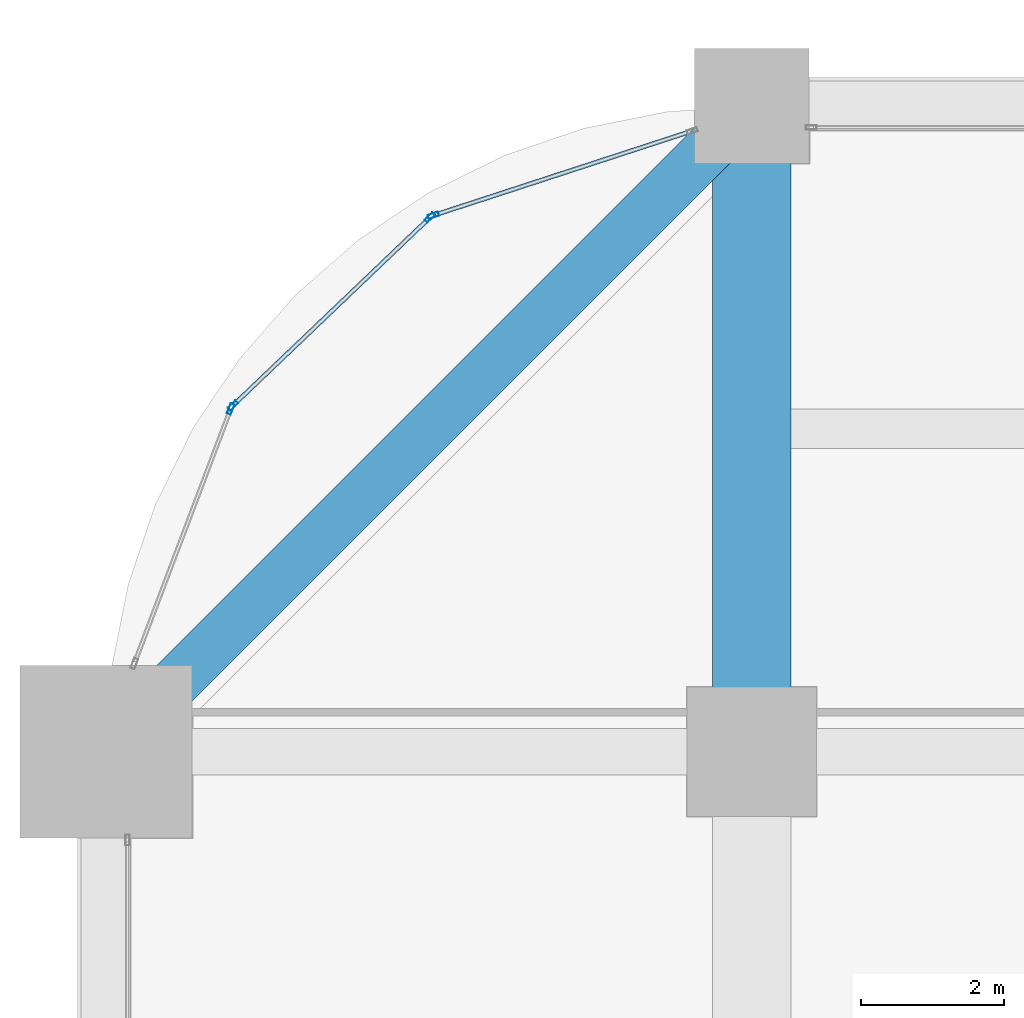
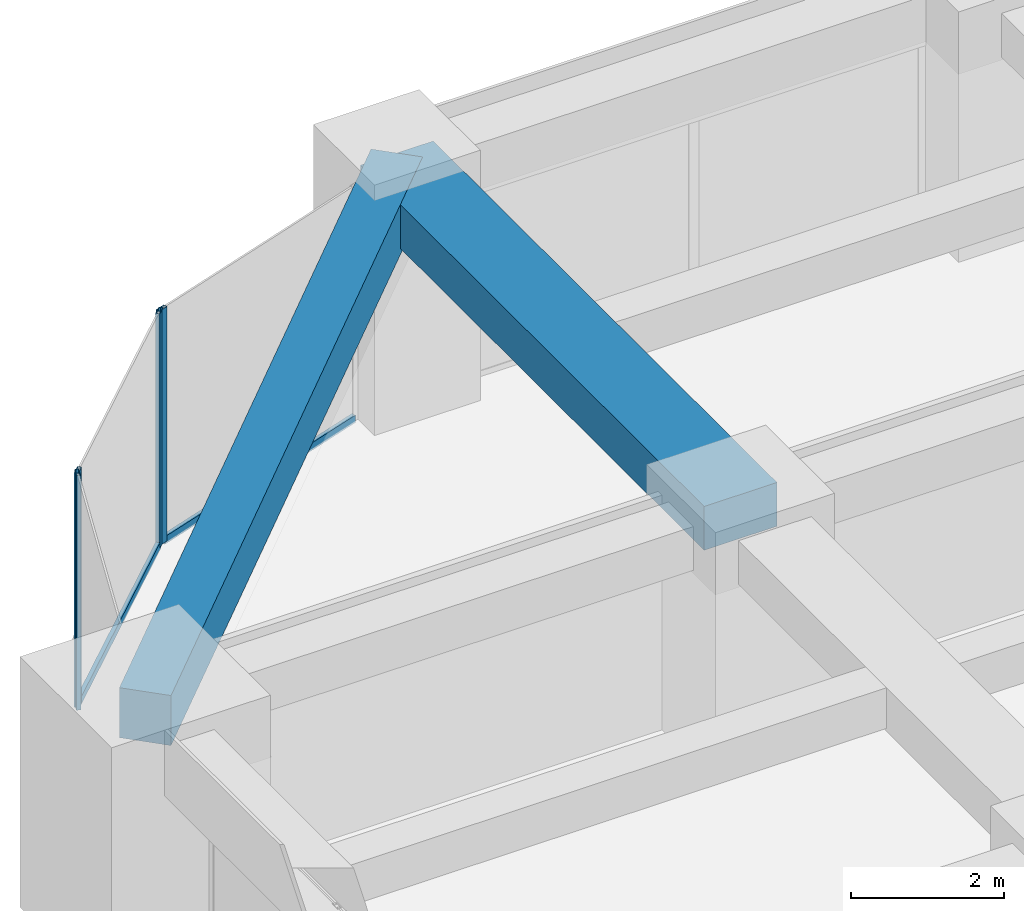
# One storey, part 26 of 40: 6 members, 2 beams, 3 elements without a shape of their own.
"""IFC4 building model written with IfcOpenShell, lengths in metres."""

from ifc_helpers import new_model, si_unit, direction, frame, origin, origin_2d, place, context, subcontext, project, spatial, rectangle, hollow_rectangle, extrude, material, material_profile, profile_set, type_object, element, aggregate, save


model = new_model("IFC4")

# Units and contexts
model_context = context("Model", 3, precision=1e-05, world=origin(), true_north=direction((0.0, 1.0)))
body_context = subcontext(model_context, "Body", "Model", "MODEL_VIEW")
ifc_project = project(units=[si_unit("LENGTHUNIT", "METRE"), si_unit("AREAUNIT", "SQUARE_METRE"), si_unit("VOLUMEUNIT", "CUBIC_METRE"), si_unit("PLANEANGLEUNIT", "RADIAN"), si_unit("MASSUNIT", "GRAM", prefix="KILO")], contexts=[model_context])

# Site, building, storey
site_placement = place(None, origin())
site = spatial("IfcSite", under=ifc_project, at=site_placement, CompositionType="ELEMENT")
building_placement = place(site_placement, origin())
building = spatial("IfcBuilding", under=site, at=building_placement, Name="Zorevar Civic Tower", CompositionType="ELEMENT")
storey_placement = place(building_placement, frame((0.0, 0.0, 129.0)))
storey = spatial("IfcBuildingStorey", under=building, at=storey_placement, Name="L31", CompositionType="ELEMENT", Elevation=129.0)

# Beam
ifc_material_1 = material(Name="Concrete C50/60", Category="concrete")
ifc_material_profile_1 = material_profile(ifc_material_1, rectangle(XDim=1.10009765625, YDim=0.699951171875, at=origin_2d()), Name="RC 1100x700")
ifc_profile_set_1 = profile_set([ifc_material_profile_1], Name="Concrete C50/60")
beam_type_1 = type_object("IfcBeamType", Name="Beam RC 1100x700", PredefinedType="BEAM", material=ifc_profile_set_1)
beam_1_placement = place(storey_placement, frame((9.0, 36.0, 3.39990234375), z_axis=(0.0, 1.0, 0.0), x_axis=(-1.0, 0.0, 0.0)))
element("IfcBeam", 1, at=beam_1_placement, inside=storey, type_object=beam_type_1, Name="Girder L32", PredefinedType="BEAM", context=body_context, shape_type="SweptSolid", body=[
    extrude(rectangle(XDim=1.10009765625, YDim=0.699951171875, at=origin_2d()), origin(), (0.0, 0.0, 1.0), 9.0),
])

# Curtain wall, member
ifc_material_2 = material(Name="Dark grey solar-control glass in black aluminium frame", Category="aluminium")
curtain_wall_type = type_object("IfcCurtainWallType", Name="Curtain wall CW3 mid zone", PredefinedType="NOTDEFINED", material=ifc_material_2)
curtain_wall_1_placement = place(storey_placement, origin())
curtain_wall_1 = element("IfcCurtainWall", 2, at=curtain_wall_1_placement, inside=storey, type_object=curtain_wall_type, Name="CW3 L31", PredefinedType="NOTDEFINED")
ifc_material_3 = material(Name="Aluminium, black anodised", Category="aluminium")
ifc_material_profile_2 = material_profile(ifc_material_3, hollow_rectangle(XDim=0.06005859375, YDim=0.14990234375, WallThickness=0.00390625, at=origin_2d()), Name="AL 150x60x4")
ifc_profile_set_2 = profile_set([ifc_material_profile_2], Name="Aluminium, black anodised")
member_type_1 = type_object("IfcMemberType", Name="CW3 mullion AL 150x60x4", PredefinedType="MULLION", material=ifc_profile_set_2)
member_1_placement = place(storey_placement, frame((4.56396484375, 43.476318359375, 0.0), z_axis=(0.0, 0.0, 1.0), x_axis=(0.310263169163, -0.950650706548, 0.0)))
member_1 = element("IfcMember", 3, at=member_1_placement, type_object=member_type_1, Name="CW3 mullion 2", PredefinedType="MULLION", context=body_context, shape_type="SweptSolid", body=[
    extrude(hollow_rectangle(XDim=0.06005859375, YDim=0.14990234375, WallThickness=0.00390625, at=origin_2d()), origin(), (0.0, 0.0, 1.0), 3.75),
])

# Curtain wall, members
curtain_wall_2_placement = place(storey_placement, origin())
curtain_wall_2 = element("IfcCurtainWall", 4, at=curtain_wall_2_placement, inside=storey, type_object=curtain_wall_type, Name="CW3 L31", PredefinedType="NOTDEFINED")
member_2_placement = place(storey_placement, frame((4.513916015625, 43.4462890625, 0.0), z_axis=(0.0, 0.0, 1.0), x_axis=(0.690545329292, -0.723289117983, 0.0)))
member_2 = element("IfcMember", 5, at=member_2_placement, type_object=member_type_1, Name="CW3 mullion 1", PredefinedType="MULLION", context=body_context, shape_type="SweptSolid", body=[
    extrude(hollow_rectangle(XDim=0.06005859375, YDim=0.14990234375, WallThickness=0.00390625, at=origin_2d()), origin(), (0.0, 0.0, 1.0), 3.75),
])
member_3_placement = place(storey_placement, frame((1.76904296875, 40.825927734375, 0.0), z_axis=(0.0, 0.0, 1.0), x_axis=(0.690545329292, -0.723289117983, 0.0)))
member_3 = element("IfcMember", 6, at=member_3_placement, type_object=member_type_1, Name="CW3 mullion 2", PredefinedType="MULLION", context=body_context, shape_type="SweptSolid", body=[
    extrude(hollow_rectangle(XDim=0.06005859375, YDim=0.14990234375, WallThickness=0.00390625, at=origin_2d()), origin(), (0.0, 0.0, 1.0), 3.75),
])

# Curtain wall, member
curtain_wall_3_placement = place(storey_placement, origin())
curtain_wall_3 = element("IfcCurtainWall", 7, at=curtain_wall_3_placement, inside=storey, type_object=curtain_wall_type, Name="CW3 L31", PredefinedType="NOTDEFINED")
member_4_placement = place(storey_placement, frame((1.73681640625, 40.777099609375, 0.0), z_axis=(0.0, 0.0, 1.0), x_axis=(0.935276561184, -0.353917722218, 0.0)))
member_4 = element("IfcMember", 8, at=member_4_placement, type_object=member_type_1, Name="CW3 mullion 1", PredefinedType="MULLION", context=body_context, shape_type="SweptSolid", body=[
    extrude(hollow_rectangle(XDim=0.06005859375, YDim=0.14990234375, WallThickness=0.00390625, at=origin_2d()), origin(), (0.0, 0.0, 1.0), 3.75),
])
aggregate(curtain_wall_3, [member_4])

# Member
ifc_material_4 = material(Name="Aluminium, black anodised", Category="aluminium")
ifc_material_profile_3 = material_profile(ifc_material_4, hollow_rectangle(XDim=0.06005859375, YDim=0.1201171875, WallThickness=0.0029296875, at=origin_2d()), Name="AL 120x60x3")
ifc_profile_set_3 = profile_set([ifc_material_profile_3], Name="Aluminium, black anodised")
member_type_2 = type_object("IfcMemberType", Name="CW3 transom AL 120x60x3", PredefinedType="USERDEFINED", material=ifc_profile_set_3)
member_5_placement = place(storey_placement, frame((8.14306640625, 44.64453125, 0.030029296875), z_axis=(-0.950638909659, -0.310299312669, 0.0), x_axis=(0.310299312669, -0.950638909659, 0.0)))
member_5 = element("IfcMember", 9, at=member_5_placement, type_object=member_type_2, Name="CW3 sill transom", ObjectType="TRANSOM", PredefinedType="USERDEFINED", context=body_context, shape_type="SweptSolid", body=[
    extrude(hollow_rectangle(XDim=0.06005859375, YDim=0.1201171875, WallThickness=0.0029296875, at=origin_2d()), origin(), (0.0, 0.0, 1.0), 3.73486328125),
])

aggregate(curtain_wall_1, [member_1, member_5])

member_6_placement = place(storey_placement, frame((4.4921875, 43.425537109375, 0.030029296875), z_axis=(-0.723324377588, -0.690508395884, 0.0), x_axis=(0.690508395884, -0.723324377588, 0.0)))
member_6 = element("IfcMember", 10, at=member_6_placement, type_object=member_type_2, Name="CW3 sill transom", ObjectType="TRANSOM", PredefinedType="USERDEFINED", context=body_context, shape_type="SweptSolid", body=[
    extrude(hollow_rectangle(XDim=0.06005859375, YDim=0.1201171875, WallThickness=0.0029296875, at=origin_2d()), origin(), (0.0, 0.0, 1.0), 3.734619140625),
])

aggregate(curtain_wall_2, [member_2, member_3, member_6])

# Beam
ifc_material_5 = material(Name="Concrete C50/60", Category="concrete")
ifc_material_profile_4 = material_profile(ifc_material_5, rectangle(XDim=0.699951171875, YDim=0.800048828125, at=origin_2d()), Name="RC 700x800")
ifc_profile_set_4 = profile_set([ifc_material_profile_4], Name="Concrete C50/60")
beam_type_2 = type_object("IfcBeamType", Name="Edge beam RC 700x800", PredefinedType="SPANDREL", material=ifc_profile_set_4)
beam_2_placement = place(storey_placement, frame((9.0, 45.0, 3.35009765625), z_axis=(-0.707106781187, -0.707106781187, 0.0), x_axis=(0.707106781187, -0.707106781187, 0.0)))
element("IfcBeam", 11, at=beam_2_placement, inside=storey, type_object=beam_type_2, Name="Corner edge beam L32", PredefinedType="SPANDREL", context=body_context, shape_type="SweptSolid", body=[
    extrude(rectangle(XDim=0.699951171875, YDim=0.800048828125, at=origin_2d()), origin(), (0.0, 0.0, 1.0), 12.72802734375),
])

save(model, "model.ifc")
